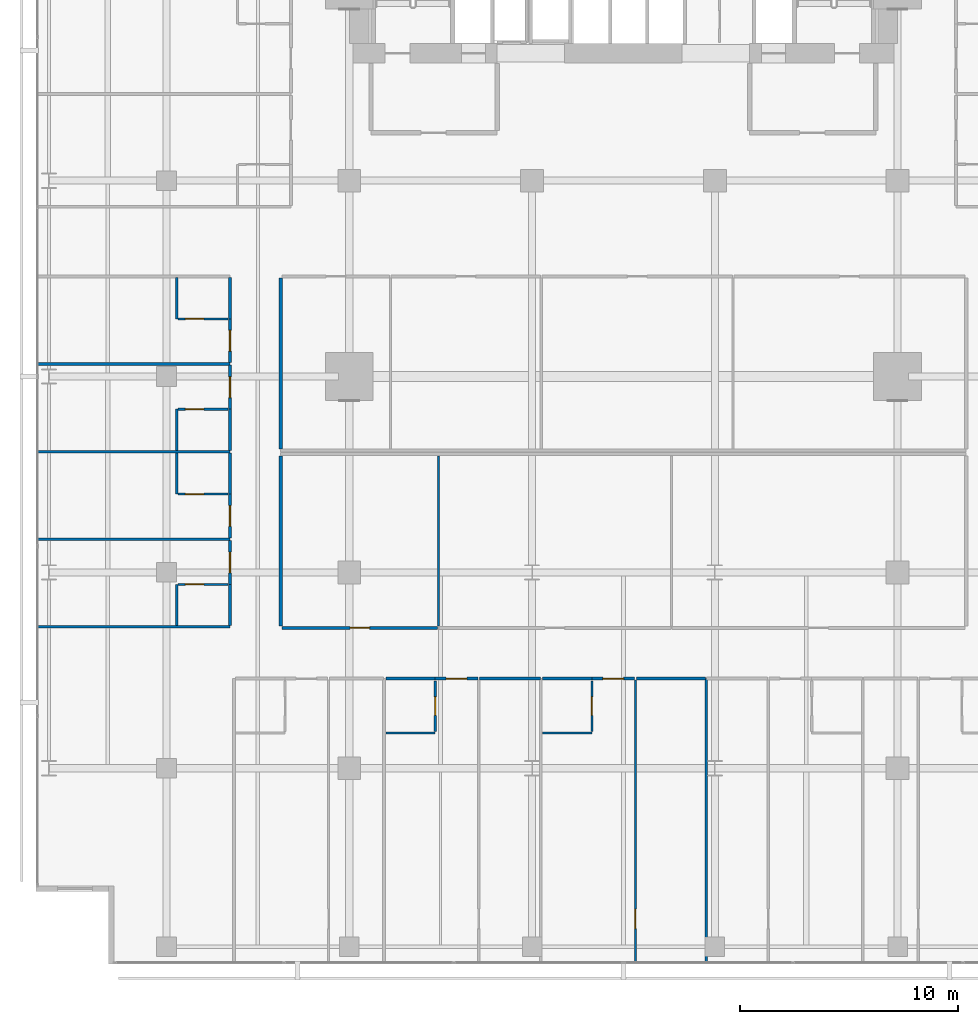
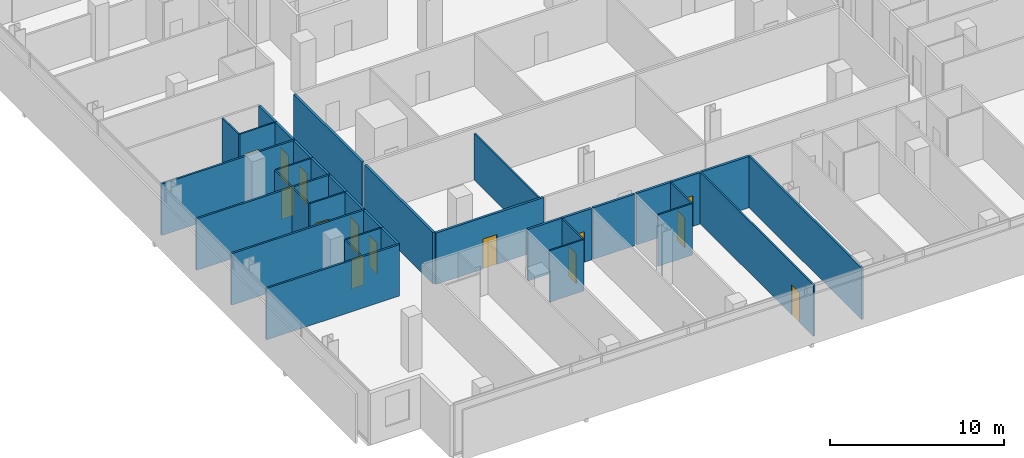
# One storey, part 33 of 40: 36 walls, 14 doors, 14 openings.
"""IFC4 building model written with IfcOpenShell, lengths in metres."""

import ifcopenshell
import ifcopenshell.guid

model = None  # the IFC model being written
_history = None  # IfcOwnerHistory: only IFC2X3 demands one
_inside = {}  # id of a spatial element -> (the spatial element, [elements in it])
_under = {}  # id of a project, library or spatial element -> (it, [spatial elements below it])
_declared = {}  # id of a project -> (the project, [libraries it declares])
_typed = {}  # id of a type object -> (the type object, [elements of that type])
_made_of = {}  # id of a material, layer set ... -> (it, [elements and type objects made of it])


def new_model(schema):
    """Start an empty IFC model of exactly this schema.

    Asked for "IFC4X3", IfcOpenShell would pick the latest addendum, in which some entities
    have other attributes; the version numbers below select the first issue.
    IFC2X3 requires an IfcOwnerHistory on every rooted entity: one is made here for all.
    """
    global model, _history
    if schema == "IFC4X3":
        model = ifcopenshell.file(schema_version=(4, 3, 0, 0))
    else:
        model = ifcopenshell.file(schema=schema)
    _inside.clear()
    _under.clear()
    _declared.clear()
    _typed.clear()
    _made_of.clear()
    _history = None
    if model.schema == "IFC2X3":
        org = make("IfcOrganization", Name="unknown")
        user = make(
            "IfcPersonAndOrganization",
            ThePerson=make("IfcPerson", FamilyName="unknown"),
            TheOrganization=org,
        )
        app = make(
            "IfcApplication",
            ApplicationDeveloper=org,
            Version="unknown",
            ApplicationFullName="unknown",
            ApplicationIdentifier="unknown",
        )
        _history = make(
            "IfcOwnerHistory",
            OwningUser=user,
            OwningApplication=app,
            ChangeAction="ADDED",
            CreationDate=0,
        )
    return model


def make(cls, **values):
    """One entity of the class cls with the attributes given. An attribute that is None is left unset."""
    return model.create_entity(
        cls, **{name: value for name, value in values.items() if value is not None}
    )


def rooted(cls, **values):
    """An entity with a GlobalId (a new one), such as an element, a storey or a relation."""
    return make(cls, GlobalId=ifcopenshell.guid.new(), OwnerHistory=_history, **values)


def si_unit(unit_type, name, prefix=None):
    """IfcSIUnit, for example si_unit("LENGTHUNIT", "METRE", prefix="MILLI")."""
    return make("IfcSIUnit", UnitType=unit_type, Prefix=prefix, Name=name)


def assignment(units):
    """IfcUnitAssignment: the units of a project."""
    return None if units is None else make("IfcUnitAssignment", Units=units)


def point(xyz):
    """IfcCartesianPoint."""
    return None if xyz is None else make("IfcCartesianPoint", Coordinates=xyz)


def direction(xyz):
    """IfcDirection."""
    return None if xyz is None else make("IfcDirection", DirectionRatios=xyz)


def frame(location, z_axis=None, x_axis=None):
    """IfcAxis2Placement3D, a coordinate frame: its origin and axes. An axis left out is left unset."""
    return make(
        "IfcAxis2Placement3D",
        Location=point(location),
        Axis=direction(z_axis),
        RefDirection=direction(x_axis),
    )


def frame_2d(location, x_axis=None):
    """IfcAxis2Placement2D, a coordinate frame in the plane: its origin and x axis."""
    return make(
        "IfcAxis2Placement2D", Location=point(location), RefDirection=direction(x_axis)
    )


def origin():
    """The frame at (0, 0, 0) with its axes left unset."""
    return frame((0.0, 0.0, 0.0))


def place(relative_to, where):
    """IfcLocalPlacement: puts the frame where relative to a parent placement (None: the world)."""
    return make(
        "IfcLocalPlacement", PlacementRelTo=relative_to, RelativePlacement=where
    )


def context(
    kind, dimensions, precision=None, world=None, true_north=None, identifier=None
):
    """IfcGeometricRepresentationContext, for example the 3D "Model" context."""
    return make(
        "IfcGeometricRepresentationContext",
        ContextIdentifier=identifier,
        ContextType=kind,
        CoordinateSpaceDimension=dimensions,
        Precision=precision,
        WorldCoordinateSystem=world,
        TrueNorth=true_north,
    )


def subcontext(parent, identifier, kind, view, scale=None):
    """IfcGeometricRepresentationSubContext, for example "Body" below "Model"."""
    return make(
        "IfcGeometricRepresentationSubContext",
        ContextIdentifier=identifier,
        ContextType=kind,
        ParentContext=parent,
        TargetScale=scale,
        TargetView=view,
    )


def project(units=None, contexts=None):
    """IfcProject with its units and contexts."""
    return rooted(
        "IfcProject",
        Name="project",
        RepresentationContexts=contexts,
        UnitsInContext=assignment(units),
    )


def spatial(cls, under=None, at=None, **own):
    """A site, building, storey or space (cls), placed at a placement, below another one or the project."""
    s = rooted(cls, ObjectPlacement=at, **own)
    if under is not None:
        _under.setdefault(under.id(), (under, []))[1].append(s)
    return s


def profile(cls, at=None, kind="AREA", **sizes):
    """A parametric profile (cls). Its sizes go by their IFC names, for example OverallWidth=200.0."""
    return make(cls, ProfileType=kind, Position=at, **sizes)


def rectangle(**sizes):
    """IfcRectangleProfileDef."""
    return profile("IfcRectangleProfileDef", **sizes)


def extrude(swept, where, along, depth):
    """IfcExtrudedAreaSolid: the profile swept, set in the frame where, extruded along a direction by depth."""
    return make(
        "IfcExtrudedAreaSolid",
        SweptArea=swept,
        Position=where,
        ExtrudedDirection=direction(along),
        Depth=depth,
    )


def shape(context_of_items, identifier, shape_type, items):
    """IfcShapeRepresentation: the items that make up one representation, for example the "Body"."""
    return make(
        "IfcShapeRepresentation",
        ContextOfItems=context_of_items,
        RepresentationIdentifier=identifier,
        RepresentationType=shape_type,
        Items=items,
    )


def material(Name=None, Category=None):
    """IfcMaterial."""
    return make("IfcMaterial", Name=Name, Category=Category)


def layer(
    of_material, thickness, ventilated=None, Name=None, Category=None, Priority=None
):
    """IfcMaterialLayer: one layer of a wall or slab, of a material (None: an air gap)."""
    return make(
        "IfcMaterialLayer",
        Material=of_material,
        LayerThickness=thickness,
        IsVentilated=ventilated,
        Name=Name,
        Category=Category,
        Priority=Priority,
    )


def layer_set(layers, Name=None):
    """IfcMaterialLayerSet."""
    return make("IfcMaterialLayerSet", MaterialLayers=layers, LayerSetName=Name)


def made_of(thing, what):
    """Note that an element or type object is made of a material, layer set ...; save() writes the relation."""
    if what is not None:
        _made_of.setdefault(what.id(), (what, []))[1].append(thing)
    return thing


def type_object(cls, material=None, **own):
    """A type object (cls), such as IfcWallType, which elements share."""
    return made_of(rooted(cls, **own), material)


def element(
    cls,
    number,
    at=None,
    inside=None,
    cuts=None,
    type_object=None,
    material=None,
    context=None,
    identifier="Body",
    shape_type=None,
    held_by="IfcProductDefinitionShape",
    body=None,
    shapes=None,
    **own,
):
    """One element of the class cls, such as IfcWall. Its Tag is "e" and its number.

    at: its placement. inside: the storey or other place that contains it. cuts: it is an
    opening in that element (IfcRelVoidsElement). A single representation is given by context,
    identifier, shape_type and body (its items); several are given by shapes. held_by: the class
    of the entity that holds the representations. save() writes the other relations.
    """
    e = rooted(cls, Tag="e%d" % number, ObjectPlacement=at, **own)
    if body is not None:
        shapes = [shape(context, identifier, shape_type, body)]
    if shapes is not None:
        e.Representation = make(held_by, Representations=shapes)
    if inside is not None:
        _inside.setdefault(inside.id(), (inside, []))[1].append(e)
    if cuts is not None:
        rooted(
            "IfcRelVoidsElement", RelatingBuildingElement=cuts, RelatedOpeningElement=e
        )
    if type_object is not None:
        _typed.setdefault(type_object.id(), (type_object, []))[1].append(e)
    return made_of(e, material)


def fill(opening, filler):
    """IfcRelFillsElement: the door or window that sits in an opening."""
    return rooted(
        "IfcRelFillsElement",
        RelatingOpeningElement=opening,
        RelatedBuildingElement=filler,
    )


def aggregate(whole, parts):
    """IfcRelAggregates: a whole, such as a stair, and the parts it consists of."""
    return rooted("IfcRelAggregates", RelatingObject=whole, RelatedObjects=parts)


def save(model, path):
    """Write the relations noted so far, then the file.

    IfcRelAggregates (storeys below a building ...), IfcRelContainedInSpatialStructure (elements
    in a storey), IfcRelDefinesByType, IfcRelAssociatesMaterial and IfcRelDeclares: one each for
    every whole, place, type object, material and project.
    """
    for whole, parts in _under.values():
        aggregate(whole, parts)
    for where, things in _inside.values():
        rooted(
            "IfcRelContainedInSpatialStructure",
            RelatedElements=things,
            RelatingStructure=where,
        )
    for kind, things in _typed.values():
        rooted("IfcRelDefinesByType", RelatedObjects=things, RelatingType=kind)
    for what, things in _made_of.values():
        rooted("IfcRelAssociatesMaterial", RelatedObjects=things, RelatingMaterial=what)
    for by, libraries in _declared.values():
        rooted("IfcRelDeclares", RelatingContext=by, RelatedDefinitions=libraries)
    model.write(path)


model = new_model("IFC4")

# Units and contexts
model_context = context("Model", 3, precision=1e-05, world=origin(), true_north=direction((0.0, 1.0)))
body_context = subcontext(model_context, "Body", "Model", "MODEL_VIEW")
ifc_project = project(units=[si_unit("LENGTHUNIT", "METRE"), si_unit("AREAUNIT", "SQUARE_METRE"), si_unit("VOLUMEUNIT", "CUBIC_METRE"), si_unit("PLANEANGLEUNIT", "RADIAN"), si_unit("MASSUNIT", "GRAM", prefix="KILO")], contexts=[model_context])

# Site, building, storey
site_placement = place(None, origin())
site = spatial("IfcSite", under=ifc_project, at=site_placement, CompositionType="ELEMENT")
building_placement = place(site_placement, origin())
building = spatial("IfcBuilding", under=site, at=building_placement, Name="Maruvema Waterfront Hotel and Observation Tower", CompositionType="ELEMENT")
storey_placement = place(building_placement, frame((0.0, 0.0, 80.85009765625)))
storey = spatial("IfcBuildingStorey", under=building, at=storey_placement, Name="L19", CompositionType="ELEMENT", Elevation=80.85009765625)

# Walls
ifc_material_1 = material(Name="Twin-stud acoustic gypsum drywall", Category="gypsum")
ifc_layer_1 = layer(ifc_material_1, 0.14990234375, Name="Acoustic Corridor and Suite Demising Wall 150 mm")
ifc_layer_set_1 = layer_set([ifc_layer_1], Name="Twin-stud acoustic gypsum drywall")
wall_type_1 = type_object("IfcWallType", Name="Acoustic Corridor and Suite Demising Wall 150 mm", PredefinedType="PARTITIONING", material=ifc_layer_set_1)
wall_1_placement = place(storey_placement, frame((22.050048828125, 23.679931640625, 0.0), z_axis=(0.0, 0.0, 1.0), x_axis=(0.0, 1.0, 0.0)))
element("IfcWall", 1, at=wall_1_placement, inside=storey, type_object=wall_type_1, Name="L19 L19-INTN West Wall 013", PredefinedType="PARTITIONING", context=body_context, shape_type="SweptSolid", body=[
    extrude(rectangle(XDim=7.840087890625, YDim=0.14990234375, at=frame_2d((3.919921875, 0.0))), origin(), (0.0, 0.0, 1.0), 3.60986328125),
])
wall_2_placement = place(storey_placement, frame((22.050048828125, 15.530029296875, 0.0), z_axis=(0.0, 0.0, 1.0), x_axis=(0.0, 1.0, 0.0)))
element("IfcWall", 2, at=wall_2_placement, inside=storey, type_object=wall_type_1, Name="L19 L19-INTS West Wall 023", PredefinedType="PARTITIONING", context=body_context, shape_type="SweptSolid", body=[
    extrude(rectangle(XDim=7.830078125, YDim=0.14990234375, at=frame_2d((3.9150390625, 0.0))), origin(), (0.0, 0.0, 1.0), 3.60986328125),
])

# Wall, opening, door
wall_3_placement = place(storey_placement, frame((22.110107421875, 15.449951171875, 0.0), z_axis=(0.0, 0.0, 1.0), x_axis=(1.0, 0.0, 0.0)))
wall_3 = element("IfcWall", 3, at=wall_3_placement, inside=storey, type_object=wall_type_1, Name="L19 L19-INTS Front 1 025", PredefinedType="PARTITIONING", context=body_context, shape_type="SweptSolid", body=[
    extrude(rectangle(XDim=7.15478515625, YDim=0.14990234375, at=frame_2d((3.577392578125, 0.0))), origin(), (0.0, 0.0, 1.0), 3.60986328125),
])
opening_1_placement = place(wall_3_placement, frame((3.12744140625, 0.0, 0.0)))
opening_1 = element("IfcOpeningElement", 4, at=opening_1_placement, cuts=wall_3, Name="Opening DR-090", PredefinedType="OPENING", context=body_context, shape_type="SweptSolid", body=[
    extrude(rectangle(XDim=0.89990234375, YDim=2.10009765625, at=frame_2d((0.449951171875, 1.050048828125))), frame((0.0, 0.0849609375, 0.0), z_axis=(0.0, -1.0, 0.0), x_axis=(1.0, 0.0, 0.0)), (0.0, 0.0, 1.0), 0.169921875),
])
ifc_material_2 = material(Name="Solid-core lacquered timber leaf", Category="wood")
door_type_1 = type_object("IfcDoorType", Name="Accessible Toilet and Room Door 900x2100 mm", OperationType="NOTDEFINED", PredefinedType="DOOR", material=ifc_material_2)
door_1_placement = place(opening_1_placement, frame((0.89990234375, 0.0, 0.0), z_axis=(0.0, 0.0, 1.0), x_axis=(-1.0, 0.0, 0.0)))
door_1 = element("IfcDoor", 5, at=door_1_placement, inside=storey, type_object=door_type_1, Name="L19 Media Lounge Door", OperationType="SINGLE_SWING_RIGHT", OverallHeight=2.10009765625, OverallWidth=0.89990234375, PredefinedType="DOOR", context=body_context, shape_type="SweptSolid", body=[
    extrude(rectangle(XDim=0.89990234375, YDim=2.10009765625, at=frame_2d((0.449951171875, 1.050048828125))), frame((0.0, 0.02490234375, 0.0), z_axis=(0.0, -1.0, 0.0), x_axis=(1.0, 0.0, 0.0)), (0.0, 0.0, 1.0), 0.050048828125),
])
fill(opening_1, door_1)

# Wall
wall_4_placement = place(storey_placement, frame((26.8798828125, 13.1201171875, 0.0), z_axis=(0.0, 0.0, 1.0), x_axis=(1.0, 0.0, 0.0)))
element("IfcWall", 6, at=wall_4_placement, inside=storey, type_object=wall_type_1, Name="L19 Bath L19-S2 Back Wall 039", PredefinedType="PARTITIONING", context=body_context, shape_type="SweptSolid", body=[
    extrude(rectangle(XDim=2.27001953125, YDim=0.14990234375, at=frame_2d((1.135009765625, 0.0))), origin(), (0.0, 0.0, 1.0), 3.60986328125),
])

# Wall, opening, door
wall_5_placement = place(storey_placement, frame((29.14990234375, 13.1201171875, 0.0), z_axis=(0.0, 0.0, 1.0), x_axis=(1.0, 0.0, 0.0)))
wall_5 = element("IfcWall", 7, at=wall_5_placement, inside=storey, type_object=wall_type_1, Name="L19 Unit L19-S2 Corridor Wall 042", PredefinedType="PARTITIONING", context=body_context, shape_type="SweptSolid", body=[
    extrude(rectangle(XDim=1.960205078125, YDim=0.14990234375, at=frame_2d((0.97998046875, 0.0))), origin(), (0.0, 0.0, 1.0), 3.60986328125),
])
opening_2_placement = place(wall_5_placement, frame((0.5048828125, 0.0, 0.0)))
opening_2 = element("IfcOpeningElement", 8, at=opening_2_placement, cuts=wall_5, Name="Opening DR-095", PredefinedType="OPENING", context=body_context, shape_type="SweptSolid", body=[
    extrude(rectangle(XDim=0.949951171875, YDim=2.14990234375, at=frame_2d((0.47509765625, 1.074951171875))), frame((0.0, 0.0849609375, 0.0), z_axis=(0.0, -1.0, 0.0), x_axis=(1.0, 0.0, 0.0)), (0.0, 0.0, 1.0), 0.169921875),
])
ifc_material_3 = material(Name="Acoustic solid-core hardwood timber leaf", Category="wood")
door_type_2 = type_object("IfcDoorType", Name="Guestroom Entrance Fire Door 950x2150 mm", OperationType="NOTDEFINED", PredefinedType="DOOR", material=ifc_material_3)
door_2_placement = place(opening_2_placement, frame((0.949951171875, 0.0, 0.0), z_axis=(0.0, 0.0, 1.0), x_axis=(-1.0, 0.0, 0.0)))
door_2 = element("IfcDoor", 9, at=door_2_placement, inside=storey, type_object=door_type_2, Name="L19 Unit L19-S2 Entrance Door", OperationType="SINGLE_SWING_LEFT", OverallHeight=2.14990234375, OverallWidth=0.949951171875, PredefinedType="DOOR", context=body_context, shape_type="SweptSolid", body=[
    extrude(rectangle(XDim=0.949951171875, YDim=2.14990234375, at=frame_2d((0.47509765625, 1.074951171875))), frame((0.0, 0.02490234375, 0.0), z_axis=(0.0, -1.0, 0.0), x_axis=(1.0, 0.0, 0.0)), (0.0, 0.0, 1.0), 0.050048828125),
])
fill(opening_2, door_2)

# Walls
wall_6_placement = place(storey_placement, frame((31.18994140625, 13.1201171875, 0.0), z_axis=(0.0, 0.0, 1.0), x_axis=(1.0, 0.0, 0.0)))
element("IfcWall", 10, at=wall_6_placement, inside=storey, type_object=wall_type_1, Name="L19 Bedroom L19-S2 Back Wall 043", PredefinedType="PARTITIONING", context=body_context, shape_type="SweptSolid", body=[
    extrude(rectangle(XDim=2.7900390625, YDim=0.14990234375, at=frame_2d((1.39501953125, 0.0))), origin(), (0.0, 0.0, 1.0), 3.60986328125),
])
wall_7_placement = place(storey_placement, frame((34.080078125, 13.1201171875, 0.0), z_axis=(0.0, 0.0, 1.0), x_axis=(1.0, 0.0, 0.0)))
element("IfcWall", 11, at=wall_7_placement, inside=storey, type_object=wall_type_1, Name="L19 Bath L19-S3 Back Wall 046", PredefinedType="PARTITIONING", context=body_context, shape_type="SweptSolid", body=[
    extrude(rectangle(XDim=2.27001953125, YDim=0.14990234375, at=frame_2d((1.135009765625, 0.0))), origin(), (0.0, 0.0, 1.0), 3.60986328125),
])

# Wall, opening, door
wall_8_placement = place(storey_placement, frame((36.35009765625, 13.1201171875, 0.0), z_axis=(0.0, 0.0, 1.0), x_axis=(1.0, 0.0, 0.0)))
wall_8 = element("IfcWall", 12, at=wall_8_placement, inside=storey, type_object=wall_type_1, Name="L19 Unit L19-S3 Corridor Wall 049", PredefinedType="PARTITIONING", context=body_context, shape_type="SweptSolid", body=[
    extrude(rectangle(XDim=1.9599609375, YDim=0.14990234375, at=frame_2d((0.97998046875, 0.0))), origin(), (0.0, 0.0, 1.0), 3.60986328125),
])
opening_3_placement = place(wall_8_placement, frame((0.5048828125, 0.0, 0.0)))
opening_3 = element("IfcOpeningElement", 13, at=opening_3_placement, cuts=wall_8, Name="Opening DR-095", PredefinedType="OPENING", context=body_context, shape_type="SweptSolid", body=[
    extrude(rectangle(XDim=0.949951171875, YDim=2.14990234375, at=frame_2d((0.47509765625, 1.074951171875))), frame((0.0, 0.0849609375, 0.0), z_axis=(0.0, -1.0, 0.0), x_axis=(1.0, 0.0, 0.0)), (0.0, 0.0, 1.0), 0.169921875),
])
door_3_placement = place(opening_3_placement, frame((0.949951171875, 0.0, 0.0), z_axis=(0.0, 0.0, 1.0), x_axis=(-1.0, 0.0, 0.0)))
door_3 = element("IfcDoor", 14, at=door_3_placement, inside=storey, type_object=door_type_2, Name="L19 Unit L19-S3 Entrance Door", OperationType="SINGLE_SWING_RIGHT", OverallHeight=2.14990234375, OverallWidth=0.949951171875, PredefinedType="DOOR", context=body_context, shape_type="SweptSolid", body=[
    extrude(rectangle(XDim=0.949951171875, YDim=2.14990234375, at=frame_2d((0.47509765625, 1.074951171875))), frame((0.0, 0.02490234375, 0.0), z_axis=(0.0, -1.0, 0.0), x_axis=(1.0, 0.0, 0.0)), (0.0, 0.0, 1.0), 0.050048828125),
])
fill(opening_3, door_3)

# Walls
wall_9_placement = place(storey_placement, frame((38.389892578125, 13.1201171875, 0.0), z_axis=(0.0, 0.0, 1.0), x_axis=(1.0, 0.0, 0.0)))
element("IfcWall", 15, at=wall_9_placement, inside=storey, type_object=wall_type_1, Name="L19 Bedroom L19-S3 Back Wall 050", PredefinedType="PARTITIONING", context=body_context, shape_type="SweptSolid", body=[
    extrude(rectangle(XDim=3.190185546875, YDim=0.14990234375, at=frame_2d((1.59521484375, 0.0))), origin(), (0.0, 0.0, 1.0), 3.60986328125),
])
wall_10_placement = place(storey_placement, frame((19.719970703125, 15.56005859375, 0.0), z_axis=(0.0, 0.0, 1.0), x_axis=(0.0, 1.0, 0.0)))
element("IfcWall", 16, at=wall_10_placement, inside=storey, type_object=wall_type_1, Name="L19 Bath L19-W1 Wall 070", PredefinedType="PARTITIONING", context=body_context, shape_type="SweptSolid", body=[
    extrude(rectangle(XDim=1.889892578125, YDim=0.14990234375, at=frame_2d((0.94482421875, 0.0))), origin(), (0.0, 0.0, 1.0), 3.60986328125),
])

# Wall, opening, door
wall_11_placement = place(storey_placement, frame((19.719970703125, 17.449951171875, 0.0), z_axis=(0.0, 0.0, 1.0), x_axis=(0.0, 1.0, 0.0)))
wall_11 = element("IfcWall", 17, at=wall_11_placement, inside=storey, type_object=wall_type_1, Name="L19 Room L19-W1 Corridor Wall 071", PredefinedType="PARTITIONING", context=body_context, shape_type="SweptSolid", body=[
    extrude(rectangle(XDim=2.010009765625, YDim=0.14990234375, at=frame_2d((1.0048828125, 0.0))), origin(), (0.0, 0.0, 1.0), 3.60986328125),
])
opening_4_placement = place(wall_11_placement, frame((0.530029296875, 0.0, 0.0)))
opening_4 = element("IfcOpeningElement", 18, at=opening_4_placement, cuts=wall_11, Name="Opening DR-095", PredefinedType="OPENING", context=body_context, shape_type="SweptSolid", body=[
    extrude(rectangle(XDim=0.949951171875, YDim=2.14990234375, at=frame_2d((0.47509765625, 1.074951171875))), frame((0.0, 0.0849609375, 0.0), z_axis=(0.0, -1.0, 0.0), x_axis=(1.0, 0.0, 0.0)), (0.0, 0.0, 1.0), 0.169921875),
])
door_4_placement = place(opening_4_placement, origin())
door_4 = element("IfcDoor", 19, at=door_4_placement, inside=storey, type_object=door_type_2, Name="L19 Room L19-W1 Entrance Door", OperationType="SINGLE_SWING_LEFT", OverallHeight=2.14990234375, OverallWidth=0.949951171875, PredefinedType="DOOR", context=body_context, shape_type="SweptSolid", body=[
    extrude(rectangle(XDim=0.949951171875, YDim=2.14990234375, at=frame_2d((0.47509765625, 1.074951171875))), frame((0.0, 0.02490234375, 0.0), z_axis=(0.0, -1.0, 0.0), x_axis=(1.0, 0.0, 0.0)), (0.0, 0.0, 1.0), 0.050048828125),
])
fill(opening_4, door_4)

wall_12_placement = place(storey_placement, frame((19.719970703125, 19.580078125, 0.0), z_axis=(0.0, 0.0, 1.0), x_axis=(0.0, 1.0, 0.0)))
wall_12 = element("IfcWall", 20, at=wall_12_placement, inside=storey, type_object=wall_type_1, Name="L19 Room L19-W2 Corridor Wall 080", PredefinedType="PARTITIONING", context=body_context, shape_type="SweptSolid", body=[
    extrude(rectangle(XDim=2.02001953125, YDim=0.14990234375, at=frame_2d((1.010009765625, 0.0))), origin(), (0.0, 0.0, 1.0), 3.60986328125),
])
opening_5_placement = place(wall_12_placement, frame((0.534912109375, 0.0, 0.0)))
opening_5 = element("IfcOpeningElement", 21, at=opening_5_placement, cuts=wall_12, Name="Opening DR-095", PredefinedType="OPENING", context=body_context, shape_type="SweptSolid", body=[
    extrude(rectangle(XDim=0.949951171875, YDim=2.14990234375, at=frame_2d((0.47509765625, 1.074951171875))), frame((0.0, 0.0849609375, 0.0), z_axis=(0.0, -1.0, 0.0), x_axis=(1.0, 0.0, 0.0)), (0.0, 0.0, 1.0), 0.169921875),
])
door_5_placement = place(opening_5_placement, origin())
door_5 = element("IfcDoor", 22, at=door_5_placement, inside=storey, type_object=door_type_2, Name="L19 Room L19-W2 Entrance Door", OperationType="SINGLE_SWING_LEFT", OverallHeight=2.14990234375, OverallWidth=0.949951171875, PredefinedType="DOOR", context=body_context, shape_type="SweptSolid", body=[
    extrude(rectangle(XDim=0.949951171875, YDim=2.14990234375, at=frame_2d((0.47509765625, 1.074951171875))), frame((0.0, 0.02490234375, 0.0), z_axis=(0.0, -1.0, 0.0), x_axis=(1.0, 0.0, 0.0)), (0.0, 0.0, 1.0), 0.050048828125),
])
fill(opening_5, door_5)

# Walls
for number, where, z_axis, x_axis, name in (
    (23, (19.719970703125, 21.60009765625, 0.0), (0.0, 0.0, 1.0), (0.0, 1.0, 0.0), "L19 Bath L19-W2 Wall 081"),
    (24, (19.719970703125, 23.610107421875, 0.0), (0.0, 0.0, 1.0), (0.0, 1.0, 0.0), "L19 Bath L19-W3 Wall 090"),
):
    element("IfcWall", number, at=place(storey_placement, frame(where, z_axis=z_axis, x_axis=x_axis)), inside=storey, type_object=wall_type_1, Name=name, PredefinedType="PARTITIONING", context=body_context, shape_type="SweptSolid", body=[
        extrude(rectangle(XDim=1.889892578125, YDim=0.14990234375, at=frame_2d((0.94482421875, 0.0))), origin(), (0.0, 0.0, 1.0), 3.60986328125),
    ])

# Wall, opening, door
wall_13_placement = place(storey_placement, frame((19.719970703125, 25.5, 0.0), z_axis=(0.0, 0.0, 1.0), x_axis=(0.0, 1.0, 0.0)))
wall_13 = element("IfcWall", 25, at=wall_13_placement, inside=storey, type_object=wall_type_1, Name="L19 Room L19-W3 Corridor Wall 091", PredefinedType="PARTITIONING", context=body_context, shape_type="SweptSolid", body=[
    extrude(rectangle(XDim=2.02001953125, YDim=0.14990234375, at=frame_2d((1.010009765625, 0.0))), origin(), (0.0, 0.0, 1.0), 3.60986328125),
])
opening_6_placement = place(wall_13_placement, frame((0.534912109375, 0.0, 0.0)))
opening_6 = element("IfcOpeningElement", 26, at=opening_6_placement, cuts=wall_13, Name="Opening DR-095", PredefinedType="OPENING", context=body_context, shape_type="SweptSolid", body=[
    extrude(rectangle(XDim=0.949951171875, YDim=2.14990234375, at=frame_2d((0.47509765625, 1.074951171875))), frame((0.0, 0.0849609375, 0.0), z_axis=(0.0, -1.0, 0.0), x_axis=(1.0, 0.0, 0.0)), (0.0, 0.0, 1.0), 0.169921875),
])
door_6_placement = place(opening_6_placement, origin())
door_6 = element("IfcDoor", 27, at=door_6_placement, inside=storey, type_object=door_type_2, Name="L19 Room L19-W3 Entrance Door", OperationType="SINGLE_SWING_LEFT", OverallHeight=2.14990234375, OverallWidth=0.949951171875, PredefinedType="DOOR", context=body_context, shape_type="SweptSolid", body=[
    extrude(rectangle(XDim=0.949951171875, YDim=2.14990234375, at=frame_2d((0.47509765625, 1.074951171875))), frame((0.0, 0.02490234375, 0.0), z_axis=(0.0, -1.0, 0.0), x_axis=(1.0, 0.0, 0.0)), (0.0, 0.0, 1.0), 0.050048828125),
])
fill(opening_6, door_6)

wall_14_placement = place(storey_placement, frame((19.719970703125, 27.639892578125, 0.0), z_axis=(0.0, 0.0, 1.0), x_axis=(0.0, 1.0, 0.0)))
wall_14 = element("IfcWall", 28, at=wall_14_placement, inside=storey, type_object=wall_type_1, Name="L19 Room L19-W4 Corridor Wall 100", PredefinedType="PARTITIONING", context=body_context, shape_type="SweptSolid", body=[
    extrude(rectangle(XDim=2.010009765625, YDim=0.14990234375, at=frame_2d((1.0048828125, 0.0))), origin(), (0.0, 0.0, 1.0), 3.60986328125),
])
opening_7_placement = place(wall_14_placement, frame((0.530029296875, 0.0, 0.0)))
opening_7 = element("IfcOpeningElement", 29, at=opening_7_placement, cuts=wall_14, Name="Opening DR-095", PredefinedType="OPENING", context=body_context, shape_type="SweptSolid", body=[
    extrude(rectangle(XDim=0.949951171875, YDim=2.14990234375, at=frame_2d((0.47509765625, 1.074951171875))), frame((0.0, 0.0849609375, 0.0), z_axis=(0.0, -1.0, 0.0), x_axis=(1.0, 0.0, 0.0)), (0.0, 0.0, 1.0), 0.169921875),
])
door_7_placement = place(opening_7_placement, origin())
door_7 = element("IfcDoor", 30, at=door_7_placement, inside=storey, type_object=door_type_2, Name="L19 Room L19-W4 Entrance Door", OperationType="SINGLE_SWING_LEFT", OverallHeight=2.14990234375, OverallWidth=0.949951171875, PredefinedType="DOOR", context=body_context, shape_type="SweptSolid", body=[
    extrude(rectangle(XDim=0.949951171875, YDim=2.14990234375, at=frame_2d((0.47509765625, 1.074951171875))), frame((0.0, 0.02490234375, 0.0), z_axis=(0.0, -1.0, 0.0), x_axis=(1.0, 0.0, 0.0)), (0.0, 0.0, 1.0), 0.050048828125),
])
fill(opening_7, door_7)

# Walls
wall_15_placement = place(storey_placement, frame((19.719970703125, 29.64990234375, 0.0), z_axis=(0.0, 0.0, 1.0), x_axis=(0.0, 1.0, 0.0)))
element("IfcWall", 31, at=wall_15_placement, inside=storey, type_object=wall_type_1, Name="L19 Bath L19-W4 Wall 101", PredefinedType="PARTITIONING", context=body_context, shape_type="SweptSolid", body=[
    extrude(rectangle(XDim=1.89013671875, YDim=0.14990234375, at=frame_2d((0.945068359375, 0.0))), origin(), (0.0, 0.0, 1.0), 3.60986328125),
])
ifc_material_4 = material(Name="Moisture-resistant cement-board drywall", Category="gypsum")
ifc_layer_2 = layer(ifc_material_4, 0.10009765625, Name="En-Suite Moisture-Resistant Partition 100 mm")
ifc_layer_set_2 = layer_set([ifc_layer_2], Name="Moisture-resistant cement-board drywall")
wall_type_2 = type_object("IfcWallType", Name="En-Suite Moisture-Resistant Partition 100 mm", PredefinedType="PARTITIONING", material=ifc_layer_set_2)
wall_16_placement = place(storey_placement, frame((29.294921875, 15.530029296875, 0.0), z_axis=(0.0, 0.0, 1.0), x_axis=(0.0, 1.0, 0.0)))
element("IfcWall", 32, at=wall_16_placement, inside=storey, type_object=wall_type_2, Name="L19 L19-INTS Split 1 026", PredefinedType="PARTITIONING", context=body_context, shape_type="SweptSolid", body=[
    extrude(rectangle(XDim=7.830078125, YDim=0.10009765625, at=frame_2d((3.9150390625, 0.0))), origin(), (0.0, 0.0, 1.0), 3.262939453125),
])
wall_17_placement = place(storey_placement, frame((26.8798828125, 10.6201171875, 0.0), z_axis=(0.0, 0.0, 1.0), x_axis=(1.0, 0.0, 0.0)))
element("IfcWall", 33, at=wall_17_placement, inside=storey, type_object=wall_type_2, Name="L19 En-Suite L19-S2 South 040", PredefinedType="PARTITIONING", context=body_context, shape_type="SweptSolid", body=[
    extrude(rectangle(XDim=2.27001953125, YDim=0.10009765625, at=frame_2d((1.135009765625, 0.0))), origin(), (0.0, 0.0, 1.0), 3.60986328125),
])

# Wall, opening, door
wall_18_placement = place(storey_placement, frame((29.14990234375, 10.679931640625, 0.0), z_axis=(0.0, 0.0, 1.0), x_axis=(0.0, 1.0, 0.0)))
wall_18 = element("IfcWall", 34, at=wall_18_placement, inside=storey, type_object=wall_type_2, Name="L19 En-Suite L19-S2 East 041", PredefinedType="PARTITIONING", context=body_context, shape_type="SweptSolid", body=[
    extrude(rectangle(XDim=2.340087890625, YDim=0.10009765625, at=frame_2d((1.169921875, 0.0))), origin(), (0.0, 0.0, 1.0), 3.60986328125),
])
opening_8_placement = place(wall_18_placement, frame((0.7451171875, 0.0, 0.0)))
opening_8 = element("IfcOpeningElement", 35, at=opening_8_placement, cuts=wall_18, Name="Opening DR-085", PredefinedType="OPENING", context=body_context, shape_type="SweptSolid", body=[
    extrude(rectangle(XDim=0.85009765625, YDim=2.10009765625, at=frame_2d((0.425048828125, 1.050048828125))), frame((0.0, 0.06005859375, 0.0), z_axis=(0.0, -1.0, 0.0), x_axis=(1.0, 0.0, 0.0)), (0.0, 0.0, 1.0), 0.1201171875),
])
ifc_material_5 = material(Name="Moisture-resistant solid timber leaf", Category="wood")
door_type_3 = type_object("IfcDoorType", Name="En-Suite Bathroom Door 850x2100 mm", OperationType="NOTDEFINED", PredefinedType="DOOR", material=ifc_material_5)
door_8_placement = place(opening_8_placement, frame((0.85009765625, 0.0, 0.0), z_axis=(0.0, 0.0, 1.0), x_axis=(-1.0, 0.0, 0.0)))
door_8 = element("IfcDoor", 36, at=door_8_placement, inside=storey, type_object=door_type_3, Name="L19 En-Suite L19-S2 Door", OperationType="SINGLE_SWING_RIGHT", OverallHeight=2.10009765625, OverallWidth=0.85009765625, PredefinedType="DOOR", context=body_context, shape_type="SweptSolid", body=[
    extrude(rectangle(XDim=0.85009765625, YDim=2.10009765625, at=frame_2d((0.425048828125, 1.050048828125))), frame((0.0, 0.02490234375, 0.0), z_axis=(0.0, -1.0, 0.0), x_axis=(1.0, 0.0, 0.0)), (0.0, 0.0, 1.0), 0.050048828125),
])
fill(opening_8, door_8)

# Wall
wall_19_placement = place(storey_placement, frame((34.080078125, 10.6201171875, 0.0), z_axis=(0.0, 0.0, 1.0), x_axis=(1.0, 0.0, 0.0)))
element("IfcWall", 37, at=wall_19_placement, inside=storey, type_object=wall_type_2, Name="L19 En-Suite L19-S3 South 047", PredefinedType="PARTITIONING", context=body_context, shape_type="SweptSolid", body=[
    extrude(rectangle(XDim=2.27001953125, YDim=0.10009765625, at=frame_2d((1.135009765625, 0.0))), origin(), (0.0, 0.0, 1.0), 3.60986328125),
])

# Wall, opening, door
wall_20_placement = place(storey_placement, frame((36.35009765625, 10.679931640625, 0.0), z_axis=(0.0, 0.0, 1.0), x_axis=(0.0, 1.0, 0.0)))
wall_20 = element("IfcWall", 38, at=wall_20_placement, inside=storey, type_object=wall_type_2, Name="L19 En-Suite L19-S3 East 048", PredefinedType="PARTITIONING", context=body_context, shape_type="SweptSolid", body=[
    extrude(rectangle(XDim=2.340087890625, YDim=0.10009765625, at=frame_2d((1.169921875, 0.0))), origin(), (0.0, 0.0, 1.0), 3.60986328125),
])
opening_9_placement = place(wall_20_placement, frame((0.7451171875, 0.0, 0.0)))
opening_9 = element("IfcOpeningElement", 39, at=opening_9_placement, cuts=wall_20, Name="Opening DR-085", PredefinedType="OPENING", context=body_context, shape_type="SweptSolid", body=[
    extrude(rectangle(XDim=0.85009765625, YDim=2.10009765625, at=frame_2d((0.425048828125, 1.050048828125))), frame((0.0, 0.06005859375, 0.0), z_axis=(0.0, -1.0, 0.0), x_axis=(1.0, 0.0, 0.0)), (0.0, 0.0, 1.0), 0.1201171875),
])
door_9_placement = place(opening_9_placement, frame((0.85009765625, 0.0, 0.0), z_axis=(0.0, 0.0, 1.0), x_axis=(-1.0, 0.0, 0.0)))
door_9 = element("IfcDoor", 40, at=door_9_placement, inside=storey, type_object=door_type_3, Name="L19 En-Suite L19-S3 Door", OperationType="SINGLE_SWING_LEFT", OverallHeight=2.10009765625, OverallWidth=0.85009765625, PredefinedType="DOOR", context=body_context, shape_type="SweptSolid", body=[
    extrude(rectangle(XDim=0.85009765625, YDim=2.10009765625, at=frame_2d((0.425048828125, 1.050048828125))), frame((0.0, 0.02490234375, 0.0), z_axis=(0.0, -1.0, 0.0), x_axis=(1.0, 0.0, 0.0)), (0.0, 0.0, 1.0), 0.050048828125),
])
fill(opening_9, door_9)

wall_21_placement = place(storey_placement, frame((38.35009765625, 0.030029296875, 0.0), z_axis=(0.0, 0.0, 1.0), x_axis=(0.0, 1.0, 0.0)))
wall_21 = element("IfcWall", 41, at=wall_21_placement, inside=storey, type_object=wall_type_2, Name="L19 Suite L19-S3 Split 051", PredefinedType="PARTITIONING", context=body_context, shape_type="SweptSolid", body=[
    extrude(rectangle(XDim=13.030029296875, YDim=0.10009765625, at=frame_2d((6.51513671875, 0.0))), origin(), (0.0, 0.0, 1.0), 3.60986328125),
])
opening_10_placement = place(wall_21_placement, frame((1.60009765625, 0.0, 0.0)))
opening_10 = element("IfcOpeningElement", 42, at=opening_10_placement, cuts=wall_21, Name="Opening DR-090", PredefinedType="OPENING", context=body_context, shape_type="SweptSolid", body=[
    extrude(rectangle(XDim=0.89990234375, YDim=2.10009765625, at=frame_2d((0.449951171875, 1.050048828125))), frame((0.0, 0.06005859375, 0.0), z_axis=(0.0, -1.0, 0.0), x_axis=(1.0, 0.0, 0.0)), (0.0, 0.0, 1.0), 0.1201171875),
])
door_10_placement = place(opening_10_placement, origin())
door_10 = element("IfcDoor", 43, at=door_10_placement, inside=storey, type_object=door_type_1, Name="L19 Suite L19-S3 Bedroom Door", OperationType="SINGLE_SWING_LEFT", OverallHeight=2.10009765625, OverallWidth=0.89990234375, PredefinedType="DOOR", context=body_context, shape_type="SweptSolid", body=[
    extrude(rectangle(XDim=0.89990234375, YDim=2.10009765625, at=frame_2d((0.449951171875, 1.050048828125))), frame((0.0, 0.02490234375, 0.0), z_axis=(0.0, -1.0, 0.0), x_axis=(1.0, 0.0, 0.0)), (0.0, 0.0, 1.0), 0.050048828125),
])
fill(opening_10, door_10)

# Wall
wall_22_placement = place(storey_placement, frame((17.27001953125, 15.56005859375, 0.0), z_axis=(0.0, 0.0, 1.0), x_axis=(0.0, 1.0, 0.0)))
element("IfcWall", 44, at=wall_22_placement, inside=storey, type_object=wall_type_2, Name="L19 En-Suite L19-W1 W 072", PredefinedType="PARTITIONING", context=body_context, shape_type="SweptSolid", body=[
    extrude(rectangle(XDim=1.889892578125, YDim=0.10009765625, at=frame_2d((0.94482421875, 0.0))), origin(), (0.0, 0.0, 1.0), 3.60986328125),
])

# Wall, opening, door
wall_23_placement = place(storey_placement, frame((17.320068359375, 17.449951171875, 0.0), z_axis=(0.0, 0.0, 1.0), x_axis=(1.0, 0.0, 0.0)))
wall_23 = element("IfcWall", 45, at=wall_23_placement, inside=storey, type_object=wall_type_2, Name="L19 En-Suite L19-W1 N 073", PredefinedType="PARTITIONING", context=body_context, shape_type="SweptSolid", body=[
    extrude(rectangle(XDim=2.300048828125, YDim=0.10009765625, at=frame_2d((1.14990234375, 0.0))), origin(), (0.0, 0.0, 1.0), 3.60986328125),
])
opening_11_placement = place(wall_23_placement, frame((0.35009765625, 0.0, 0.0)))
opening_11 = element("IfcOpeningElement", 46, at=opening_11_placement, cuts=wall_23, Name="Opening DR-085", PredefinedType="OPENING", context=body_context, shape_type="SweptSolid", body=[
    extrude(rectangle(XDim=0.85009765625, YDim=2.10009765625, at=frame_2d((0.425048828125, 1.050048828125))), frame((0.0, 0.06005859375, 0.0), z_axis=(0.0, -1.0, 0.0), x_axis=(1.0, 0.0, 0.0)), (0.0, 0.0, 1.0), 0.1201171875),
])
door_11_placement = place(opening_11_placement, origin())
door_11 = element("IfcDoor", 47, at=door_11_placement, inside=storey, type_object=door_type_3, Name="L19 En-Suite L19-W1 Door", OperationType="SINGLE_SWING_RIGHT", OverallHeight=2.10009765625, OverallWidth=0.85009765625, PredefinedType="DOOR", context=body_context, shape_type="SweptSolid", body=[
    extrude(rectangle(XDim=0.85009765625, YDim=2.10009765625, at=frame_2d((0.425048828125, 1.050048828125))), frame((0.0, 0.02490234375, 0.0), z_axis=(0.0, -1.0, 0.0), x_axis=(1.0, 0.0, 0.0)), (0.0, 0.0, 1.0), 0.050048828125),
])
fill(opening_11, door_11)

# Wall
wall_24_placement = place(storey_placement, frame((17.27001953125, 21.60009765625, 0.0), z_axis=(0.0, 0.0, 1.0), x_axis=(0.0, 1.0, 0.0)))
element("IfcWall", 48, at=wall_24_placement, inside=storey, type_object=wall_type_2, Name="L19 En-Suite L19-W2 W 082", PredefinedType="PARTITIONING", context=body_context, shape_type="SweptSolid", body=[
    extrude(rectangle(XDim=1.889892578125, YDim=0.10009765625, at=frame_2d((0.94482421875, 0.0))), origin(), (0.0, 0.0, 1.0), 3.60986328125),
])

# Wall, opening, door
wall_25_placement = place(storey_placement, frame((17.320068359375, 21.60009765625, 0.0), z_axis=(0.0, 0.0, 1.0), x_axis=(1.0, 0.0, 0.0)))
wall_25 = element("IfcWall", 49, at=wall_25_placement, inside=storey, type_object=wall_type_2, Name="L19 En-Suite L19-W2 S 083", PredefinedType="PARTITIONING", context=body_context, shape_type="SweptSolid", body=[
    extrude(rectangle(XDim=2.300048828125, YDim=0.10009765625, at=frame_2d((1.14990234375, 0.0))), origin(), (0.0, 0.0, 1.0), 3.60986328125),
])
opening_12_placement = place(wall_25_placement, frame((0.35009765625, 0.0, 0.0)))
opening_12 = element("IfcOpeningElement", 50, at=opening_12_placement, cuts=wall_25, Name="Opening DR-085", PredefinedType="OPENING", context=body_context, shape_type="SweptSolid", body=[
    extrude(rectangle(XDim=0.85009765625, YDim=2.10009765625, at=frame_2d((0.425048828125, 1.050048828125))), frame((0.0, 0.06005859375, 0.0), z_axis=(0.0, -1.0, 0.0), x_axis=(1.0, 0.0, 0.0)), (0.0, 0.0, 1.0), 0.1201171875),
])
door_12_placement = place(opening_12_placement, frame((0.85009765625, 0.0, 0.0), z_axis=(0.0, 0.0, 1.0), x_axis=(-1.0, 0.0, 0.0)))
door_12 = element("IfcDoor", 51, at=door_12_placement, inside=storey, type_object=door_type_3, Name="L19 En-Suite L19-W2 Door", OperationType="SINGLE_SWING_RIGHT", OverallHeight=2.10009765625, OverallWidth=0.85009765625, PredefinedType="DOOR", context=body_context, shape_type="SweptSolid", body=[
    extrude(rectangle(XDim=0.85009765625, YDim=2.10009765625, at=frame_2d((0.425048828125, 1.050048828125))), frame((0.0, 0.02490234375, 0.0), z_axis=(0.0, -1.0, 0.0), x_axis=(1.0, 0.0, 0.0)), (0.0, 0.0, 1.0), 0.050048828125),
])
fill(opening_12, door_12)

# Wall
wall_26_placement = place(storey_placement, frame((17.27001953125, 23.610107421875, 0.0), z_axis=(0.0, 0.0, 1.0), x_axis=(0.0, 1.0, 0.0)))
element("IfcWall", 52, at=wall_26_placement, inside=storey, type_object=wall_type_2, Name="L19 En-Suite L19-W3 W 092", PredefinedType="PARTITIONING", context=body_context, shape_type="SweptSolid", body=[
    extrude(rectangle(XDim=1.889892578125, YDim=0.10009765625, at=frame_2d((0.94482421875, 0.0))), origin(), (0.0, 0.0, 1.0), 3.60986328125),
])

# Wall, opening, door
wall_27_placement = place(storey_placement, frame((17.320068359375, 25.5, 0.0), z_axis=(0.0, 0.0, 1.0), x_axis=(1.0, 0.0, 0.0)))
wall_27 = element("IfcWall", 53, at=wall_27_placement, inside=storey, type_object=wall_type_2, Name="L19 En-Suite L19-W3 N 093", PredefinedType="PARTITIONING", context=body_context, shape_type="SweptSolid", body=[
    extrude(rectangle(XDim=2.300048828125, YDim=0.10009765625, at=frame_2d((1.14990234375, 0.0))), origin(), (0.0, 0.0, 1.0), 3.60986328125),
])
opening_13_placement = place(wall_27_placement, frame((0.35009765625, 0.0, 0.0)))
opening_13 = element("IfcOpeningElement", 54, at=opening_13_placement, cuts=wall_27, Name="Opening DR-085", PredefinedType="OPENING", context=body_context, shape_type="SweptSolid", body=[
    extrude(rectangle(XDim=0.85009765625, YDim=2.10009765625, at=frame_2d((0.425048828125, 1.050048828125))), frame((0.0, 0.06005859375, 0.0), z_axis=(0.0, -1.0, 0.0), x_axis=(1.0, 0.0, 0.0)), (0.0, 0.0, 1.0), 0.1201171875),
])
door_13_placement = place(opening_13_placement, origin())
door_13 = element("IfcDoor", 55, at=door_13_placement, inside=storey, type_object=door_type_3, Name="L19 En-Suite L19-W3 Door", OperationType="SINGLE_SWING_RIGHT", OverallHeight=2.10009765625, OverallWidth=0.85009765625, PredefinedType="DOOR", context=body_context, shape_type="SweptSolid", body=[
    extrude(rectangle(XDim=0.85009765625, YDim=2.10009765625, at=frame_2d((0.425048828125, 1.050048828125))), frame((0.0, 0.02490234375, 0.0), z_axis=(0.0, -1.0, 0.0), x_axis=(1.0, 0.0, 0.0)), (0.0, 0.0, 1.0), 0.050048828125),
])
fill(opening_13, door_13)

# Wall
wall_28_placement = place(storey_placement, frame((17.27001953125, 29.64990234375, 0.0), z_axis=(0.0, 0.0, 1.0), x_axis=(0.0, 1.0, 0.0)))
element("IfcWall", 56, at=wall_28_placement, inside=storey, type_object=wall_type_2, Name="L19 En-Suite L19-W4 W 102", PredefinedType="PARTITIONING", context=body_context, shape_type="SweptSolid", body=[
    extrude(rectangle(XDim=1.89013671875, YDim=0.10009765625, at=frame_2d((0.945068359375, 0.0))), origin(), (0.0, 0.0, 1.0), 3.60986328125),
])

# Wall, opening, door
wall_29_placement = place(storey_placement, frame((17.320068359375, 29.64990234375, 0.0), z_axis=(0.0, 0.0, 1.0), x_axis=(1.0, 0.0, 0.0)))
wall_29 = element("IfcWall", 57, at=wall_29_placement, inside=storey, type_object=wall_type_2, Name="L19 En-Suite L19-W4 S 103", PredefinedType="PARTITIONING", context=body_context, shape_type="SweptSolid", body=[
    extrude(rectangle(XDim=2.300048828125, YDim=0.10009765625, at=frame_2d((1.14990234375, 0.0))), origin(), (0.0, 0.0, 1.0), 3.60986328125),
])
opening_14_placement = place(wall_29_placement, frame((0.35009765625, 0.0, 0.0)))
opening_14 = element("IfcOpeningElement", 58, at=opening_14_placement, cuts=wall_29, Name="Opening DR-085", PredefinedType="OPENING", context=body_context, shape_type="SweptSolid", body=[
    extrude(rectangle(XDim=0.85009765625, YDim=2.10009765625, at=frame_2d((0.425048828125, 1.050048828125))), frame((0.0, 0.06005859375, 0.0), z_axis=(0.0, -1.0, 0.0), x_axis=(1.0, 0.0, 0.0)), (0.0, 0.0, 1.0), 0.1201171875),
])
door_14_placement = place(opening_14_placement, frame((0.85009765625, 0.0, 0.0), z_axis=(0.0, 0.0, 1.0), x_axis=(-1.0, 0.0, 0.0)))
door_14 = element("IfcDoor", 59, at=door_14_placement, inside=storey, type_object=door_type_3, Name="L19 En-Suite L19-W4 Door", OperationType="SINGLE_SWING_RIGHT", OverallHeight=2.10009765625, OverallWidth=0.85009765625, PredefinedType="DOOR", context=body_context, shape_type="SweptSolid", body=[
    extrude(rectangle(XDim=0.85009765625, YDim=2.10009765625, at=frame_2d((0.425048828125, 1.050048828125))), frame((0.0, 0.02490234375, 0.0), z_axis=(0.0, -1.0, 0.0), x_axis=(1.0, 0.0, 0.0)), (0.0, 0.0, 1.0), 0.050048828125),
])
fill(opening_14, door_14)

# Walls
ifc_material_6 = material(Name="Acoustic gypsum plasterboard drywall", Category="gypsum")
ifc_layer_3 = layer(ifc_material_6, 0.125, Name="Guestroom Acoustic Demising Wall 125 mm")
ifc_layer_set_3 = layer_set([ifc_layer_3], Name="Acoustic gypsum plasterboard drywall")
wall_type_3 = type_object("IfcWallType", Name="Guestroom Acoustic Demising Wall 125 mm", PredefinedType="PARTITIONING", material=ifc_layer_set_3)
wall_30_placement = place(storey_placement, frame((41.60009765625, 0.10009765625, 0.0), z_axis=(0.0, 0.0, 1.0), x_axis=(0.0, 1.0, 0.0)))
element("IfcWall", 60, at=wall_30_placement, inside=storey, type_object=wall_type_3, Name="L19 S Demising 4 052", PredefinedType="PARTITIONING", context=body_context, shape_type="SweptSolid", body=[
    extrude(rectangle(XDim=13.02001953125, YDim=0.125, at=frame_2d((6.510009765625, 0.0))), origin(), (0.0, 0.0, 1.0), 3.60986328125),
])
for number, where, z_axis, x_axis, name in (
    (61, (10.89990234375, 15.5, 0.0), (0.0, 0.0, 1.0), (1.0, 0.0, 0.0), "L19 W Bot End 066"),
    (62, (10.89990234375, 19.52001953125, 0.0), (0.0, 0.0, 1.0), (1.0, 0.0, 0.0), "L19 W Demising 2 078"),
    (63, (10.89990234375, 23.550048828125, 0.0), (0.0, 0.0, 1.0), (1.0, 0.0, 0.0), "L19 W Demising 3 088"),
    (64, (10.89990234375, 27.580078125, 0.0), (0.0, 0.0, 1.0), (1.0, 0.0, 0.0), "L19 W Demising 4 098"),
):
    element("IfcWall", number, at=place(storey_placement, frame(where, z_axis=z_axis, x_axis=x_axis)), inside=storey, type_object=wall_type_3, Name=name, PredefinedType="PARTITIONING", context=body_context, shape_type="SweptSolid", body=[
        extrude(rectangle(XDim=8.820068359375, YDim=0.125, at=frame_2d((4.41015625, 0.0))), origin(), (0.0, 0.0, 1.0), 3.60986328125),
    ])

save(model, "model.ifc")
